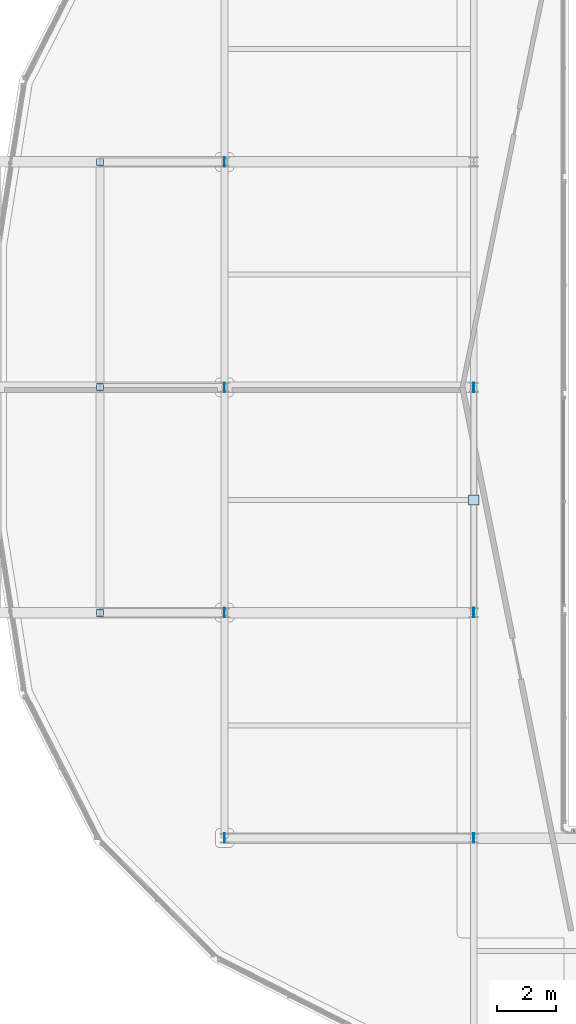
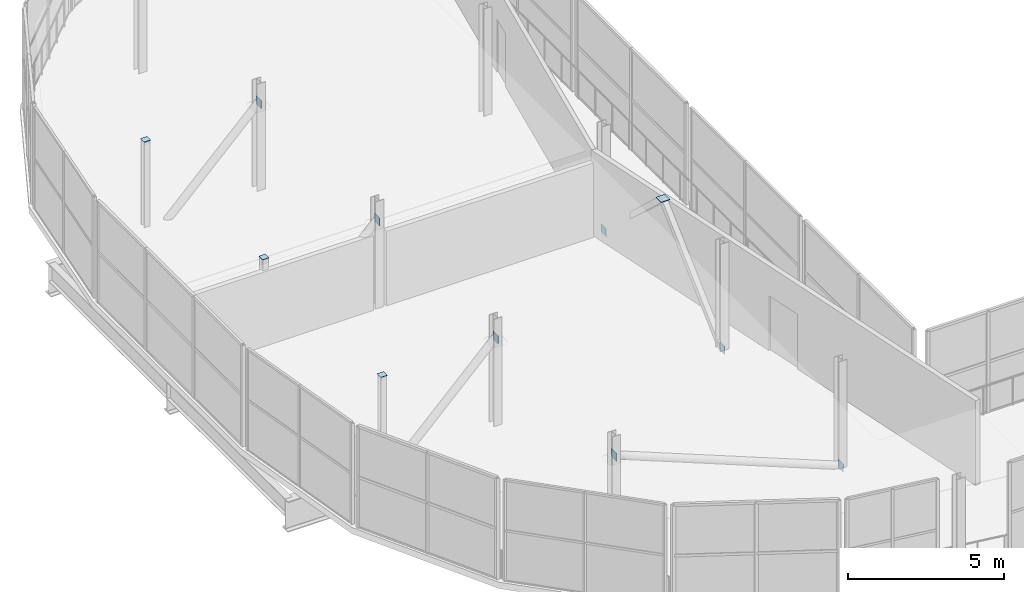
# One storey, part 122 of 151: 11 plates.
"""IFC4 building model written with IfcOpenShell, lengths in metres."""

from ifc_helpers import new_model, si_unit, direction, frame, origin, origin_2d, place, context, subcontext, project, spatial, rectangle, extrude, material, layer, layer_set, type_object, element, save


model = new_model("IFC4")

# Units and contexts
model_context = context("Model", 3, precision=1e-05, world=origin(), true_north=direction((0.0, 1.0)))
body_context = subcontext(model_context, "Body", "Model", "MODEL_VIEW")
ifc_project = project(units=[si_unit("LENGTHUNIT", "METRE"), si_unit("AREAUNIT", "SQUARE_METRE"), si_unit("VOLUMEUNIT", "CUBIC_METRE"), si_unit("PLANEANGLEUNIT", "RADIAN"), si_unit("MASSUNIT", "GRAM", prefix="KILO")], contexts=[model_context])

# Site, building, storey
site_placement = place(None, origin())
site = spatial("IfcSite", under=ifc_project, at=site_placement, CompositionType="ELEMENT")
building_placement = place(site_placement, origin())
building = spatial("IfcBuilding", under=site, at=building_placement, Name="Zuvorla Pavilion Media Centre", CompositionType="ELEMENT")
storey_placement = place(building_placement, frame((0.0, 0.0, 13.800048828125)))
storey = spatial("IfcBuildingStorey", under=building, at=storey_placement, Name="L03", CompositionType="ELEMENT", Elevation=13.800048828125)

# Plates
ifc_material = material(Name="Steel S355", Category="steel")
ifc_layer_1 = layer(ifc_material, 0.01611328125)
ifc_layer_set_1 = layer_set([ifc_layer_1], Name="Steel S355")
plate_type_1 = type_object("IfcPlateType", Name="PLT-CAP-16", PredefinedType="USERDEFINED", material=ifc_layer_set_1)
for number, where, z_axis, x_axis, name in (
    (1, (12.199951171875, 59.199951171875, 3.351806640625), (0.0, 0.0, 1.0), (1.0, 0.0, 0.0), "L03 cap plate CP16 190"),
    (2, (12.199951171875, 66.800048828125, 3.351806640625), (0.0, 0.0, 1.0), (1.0, 0.0, 0.0), "L03 cap plate CP16 194"),
    (3, (12.199951171875, 74.39990234375, 3.351806640625), (0.0, 0.0, 1.0), (1.0, 0.0, 0.0), "L03 cap plate CP16 198"),
):
    element("IfcPlate", number, at=place(storey_placement, frame(where, z_axis=z_axis, x_axis=x_axis)), inside=storey, type_object=plate_type_1, Name=name, ObjectType="CAP_PLATE", PredefinedType="USERDEFINED", context=body_context, shape_type="SweptSolid", body=[
        extrude(rectangle(XDim=0.239990234375, YDim=0.239990234375, at=origin_2d()), origin(), (0.0, 0.0, 1.0), 0.01611328125),
    ])
ifc_layer_2 = layer(ifc_material, 0.02197265625)
ifc_layer_set_2 = layer_set([ifc_layer_2], Name="Steel S355")
plate_type_2 = type_object("IfcPlateType", Name="PLT-CAP-22", PredefinedType="USERDEFINED", material=ifc_layer_set_2)
plate_placement = place(storey_placement, frame((24.800048828125, 63.0, 3.5390625), z_axis=(0.0, 0.0, 1.0), x_axis=(1.0, 0.0, 0.0)))
element("IfcPlate", 4, at=plate_placement, inside=storey, type_object=plate_type_2, Name="L03 cap plate CP22 168", ObjectType="CAP_PLATE", PredefinedType="USERDEFINED", context=body_context, shape_type="SweptSolid", body=[
    extrude(rectangle(XDim=0.340087890625, YDim=0.340087890625, at=origin_2d()), origin(), (0.0, 0.0, 1.0), 0.02197265625),
])
ifc_layer_3 = layer(ifc_material, 0.02001953125)
ifc_layer_set_3 = layer_set([ifc_layer_3], Name="Steel S355")
plate_type_3 = type_object("IfcPlateType", Name="PLT-GUS-20", PredefinedType="USERDEFINED", material=ifc_layer_set_3)
for number, where, z_axis, x_axis, name in (
    (5, (16.39990234375, 59.199951171875, 3.19970703125), (0.0, 0.0, 1.0), (1.0, 0.0, 0.0), "L03 gusset plate GP20 189"),
    (6, (16.39990234375, 66.800048828125, 3.19970703125), (0.0, 0.0, 1.0), (1.0, 0.0, 0.0), "L03 gusset plate GP20 193"),
    (7, (16.39990234375, 74.39990234375, 3.19970703125), (0.0, 0.0, 1.0), (1.0, 0.0, 0.0), "L03 gusset plate GP20 197"),
    (8, (24.800048828125, 51.60009765625, -0.16015625), (0.0, 0.0, 1.0), (1.0, 0.0, 0.0), "L03 gusset plate GP20 209"),
    (9, (16.39990234375, 51.60009765625, 3.19970703125), (0.0, 0.0, 1.0), (1.0, 0.0, 0.0), "L03 gusset plate GP20 210"),
    (10, (24.800048828125, 59.199951171875, -0.16015625), (0.0, 0.0, 1.0), (1.0, 0.0, 0.0), "L03 gusset plate GP20 523"),
    (11, (24.800048828125, 66.800048828125, -0.16015625), (0.0, 0.0, 1.0), (1.0, 0.0, 0.0), "L03 gusset plate GP20 524"),
):
    element("IfcPlate", number, at=place(storey_placement, frame(where, z_axis=z_axis, x_axis=x_axis)), inside=storey, type_object=plate_type_3, Name=name, ObjectType="GUSSET_PLATE", PredefinedType="USERDEFINED", context=body_context, shape_type="SweptSolid", body=[
        extrude(rectangle(XDim=0.02001953125, YDim=0.320068359375, at=origin_2d()), origin(), (0.0, 0.0, 1.0), 0.320068359375),
    ])

save(model, "model.ifc")
